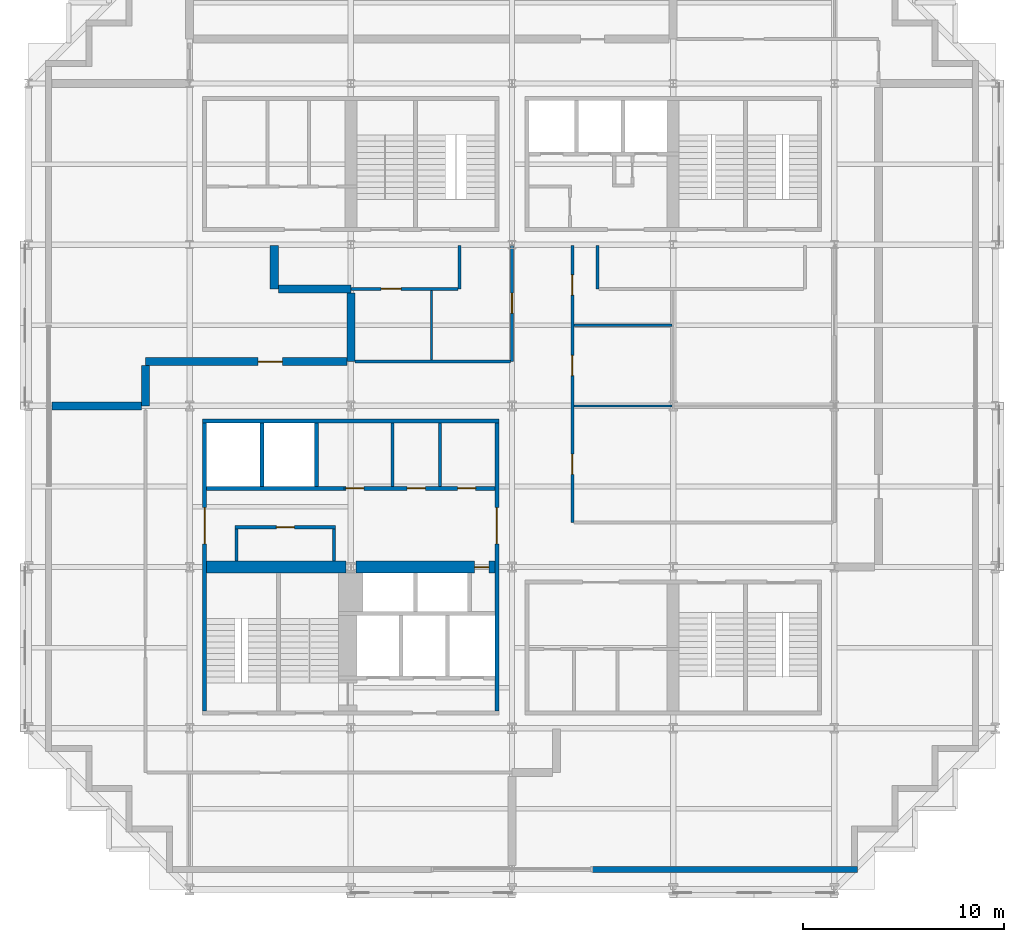
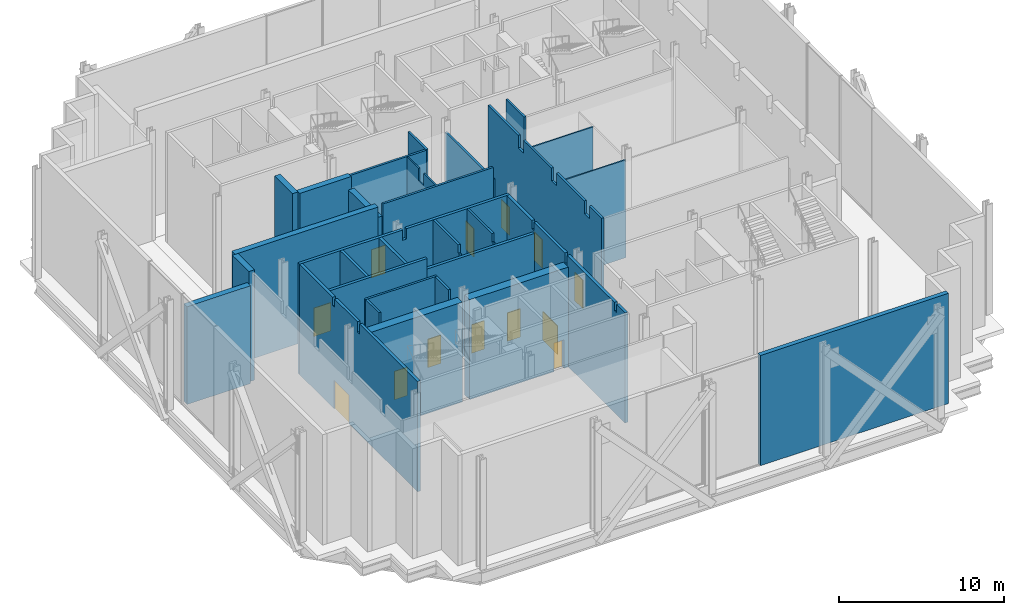
# One storey, part 8 of 13: 30 walls, 13 doors, 13 openings.
"""IFC4 building model written with IfcOpenShell, lengths in metres."""

from ifc_helpers import new_model, si_unit, direction, frame, frame_2d, origin, place, context, subcontext, project, spatial, polyline, rectangle, outline, extrude, material, layer, layer_set, type_object, element, fill, save


model = new_model("IFC4")

# Units and contexts
model_context = context("Model", 3, precision=1e-05, world=origin(), true_north=direction((0.0, 1.0)))
body_context = subcontext(model_context, "Body", "Model", "MODEL_VIEW")
ifc_project = project(units=[si_unit("LENGTHUNIT", "METRE"), si_unit("AREAUNIT", "SQUARE_METRE"), si_unit("VOLUMEUNIT", "CUBIC_METRE"), si_unit("PLANEANGLEUNIT", "RADIAN"), si_unit("MASSUNIT", "GRAM", prefix="KILO")], contexts=[model_context])

# Site, building, storey
site_placement = place(None, origin())
site = spatial("IfcSite", under=ifc_project, at=site_placement, CompositionType="ELEMENT")
building_placement = place(site_placement, origin())
building = spatial("IfcBuilding", under=site, at=building_placement, Name="Immortelle Media Tower", CompositionType="ELEMENT")
storey_placement = place(building_placement, frame((0.0, 0.0, 21.0)))
storey = spatial("IfcBuildingStorey", under=building, at=storey_placement, Name="L02", CompositionType="ELEMENT", Elevation=21.0)

# Wall, opening, door
ifc_material_1 = material(Name="Fire-rated masonry blockwork", Category="masonry")
ifc_layer_1 = layer(ifc_material_1, 0.60009765625)
ifc_layer_set_1 = layer_set([ifc_layer_1], Name="Fire-rated masonry blockwork")
wall_type_1 = type_object("IfcWallType", Name="Core grid-line wall 600", PredefinedType="PARTITIONING", material=ifc_layer_set_1)
wall_1_placement = place(storey_placement, frame((16.24755859375, 16.0, 0.0), z_axis=(0.0, 0.0, 1.0), x_axis=(1.0, 0.0, 0.0)))
wall_1 = element("IfcWall", 1, at=wall_1_placement, inside=storey, type_object=wall_type_1, Name="Core grid-line wall SW", PredefinedType="PARTITIONING", context=body_context, shape_type="SweptSolid", body=[
    extrude(rectangle(XDim=6.90234375, YDim=0.60009765625, at=frame_2d((3.451171875, 0.0))), origin(), (0.0, 0.0, 1.0), 7.382080078125),
])
opening_1_placement = place(wall_1_placement, frame((6.6025390625, 0.0, 0.0), z_axis=(0.0, 0.0, 1.0), x_axis=(-1.0, 0.0, 0.0)))
opening_1 = element("IfcOpeningElement", 2, at=opening_1_placement, cuts=wall_1, Name="Opening P2-K013", PredefinedType="OPENING", context=body_context, shape_type="SweptSolid", body=[
    extrude(rectangle(XDim=0.699951171875, YDim=2.10009765625, at=frame_2d((0.35009765625, 1.050048828125))), frame((0.0, 0.31005859375, 0.0), z_axis=(0.0, -1.0, 0.0), x_axis=(1.0, 0.0, 0.0)), (0.0, 0.0, 1.0), 0.6201171875),
])
ifc_material_2 = material(Name="Galvanised steel door leaf and frame ASTM A653", Category="steel")
door_type_1 = type_object("IfcDoorType", Name="Service door 700 x 2100", OperationType="NOTDEFINED", PredefinedType="NOTDEFINED", material=ifc_material_2)
door_1_placement = place(opening_1_placement, origin())
door_1 = element("IfcDoor", 3, at=door_1_placement, inside=storey, type_object=door_type_1, Name="Service P2-K013", OperationType="SINGLE_SWING_LEFT", OverallHeight=2.10009765625, OverallWidth=0.699951171875, PredefinedType="NOTDEFINED", context=body_context, shape_type="SweptSolid", body=[
    extrude(rectangle(XDim=0.699951171875, YDim=2.10009765625, at=frame_2d((0.35009765625, 1.050048828125))), frame((0.0, 0.02490234375, 0.0), z_axis=(0.0, -1.0, 0.0), x_axis=(1.0, 0.0, 0.0)), (0.0, 0.0, 1.0), 0.050048828125),
])
fill(opening_1, door_1)

# Wall
ifc_material_3 = material(Name="Fire-rated gypsum board", Category="gypsum")
ifc_layer_2 = layer(ifc_material_3, 0.02490234375)
ifc_material_4 = material(Name="Steel ASTM A653 SS Gr 50 stud frame with mineral wool", Category="steel")
ifc_layer_3 = layer(ifc_material_4, 0.10009765625)
ifc_layer_4 = layer(ifc_material_3, 0.02490234375)
ifc_layer_set_2 = layer_set([ifc_layer_2, ifc_layer_3, ifc_layer_4], Name="Steel ASTM A653 SS Gr 50 stud frame with mineral wool")
wall_type_2 = type_object("IfcWallType", Name="Core partition 150", PredefinedType="PARTITIONING", material=ifc_layer_set_2)
wall_2_placement = place(storey_placement, frame((10.324951171875, 16.300048828125, 0.0), z_axis=(0.0, 0.0, 1.0), x_axis=(0.0, 1.0, 0.0)))
element("IfcWall", 4, at=wall_2_placement, inside=storey, type_object=wall_type_2, Name="Core partition SW", PredefinedType="PARTITIONING", context=body_context, shape_type="SweptSolid", body=[
    extrude(rectangle(XDim=1.599853515625, YDim=0.14990234375, at=frame_2d((0.7998046875, 0.0))), origin(), (0.0, 0.0, 1.0), 8.14990234375),
])

# Wall, opening, door
wall_3_placement = place(storey_placement, frame((10.25, 17.97509765625, 0.0), z_axis=(0.0, 0.0, 1.0), x_axis=(1.0, 0.0, 0.0)))
wall_3 = element("IfcWall", 5, at=wall_3_placement, inside=storey, type_object=wall_type_2, Name="Core partition SW", PredefinedType="PARTITIONING", context=body_context, shape_type="SweptSolid", body=[
    extrude(rectangle(XDim=5.0, YDim=0.14990234375, at=frame_2d((2.5, 0.0))), origin(), (0.0, 0.0, 1.0), 8.14990234375),
])
opening_2_placement = place(wall_3_placement, frame((2.949951171875, 0.0, 0.0), z_axis=(0.0, 0.0, 1.0), x_axis=(-1.0, 0.0, 0.0)))
opening_2 = element("IfcOpeningElement", 6, at=opening_2_placement, cuts=wall_3, Name="Opening P2-K003", PredefinedType="OPENING", context=body_context, shape_type="SweptSolid", body=[
    extrude(rectangle(XDim=0.89990234375, YDim=2.10009765625, at=frame_2d((0.449951171875, 1.050048828125))), frame((0.0, 0.0849609375, 0.0), z_axis=(0.0, -1.0, 0.0), x_axis=(1.0, 0.0, 0.0)), (0.0, 0.0, 1.0), 0.169921875),
])
ifc_material_5 = material(Name="Timber", Category="wood")
door_type_2 = type_object("IfcDoorType", Name="Room door 900 x 2100", OperationType="NOTDEFINED", PredefinedType="NOTDEFINED", material=ifc_material_5)
door_2_placement = place(opening_2_placement, origin())
door_2 = element("IfcDoor", 7, at=door_2_placement, inside=storey, type_object=door_type_2, Name="Room P2-K003", OperationType="SINGLE_SWING_RIGHT", OverallHeight=2.10009765625, OverallWidth=0.89990234375, PredefinedType="NOTDEFINED", context=body_context, shape_type="SweptSolid", body=[
    extrude(rectangle(XDim=0.89990234375, YDim=2.10009765625, at=frame_2d((0.449951171875, 1.050048828125))), frame((0.0, 0.02490234375, 0.0), z_axis=(0.0, -1.0, 0.0), x_axis=(1.0, 0.0, 0.0)), (0.0, 0.0, 1.0), 0.050048828125),
])
fill(opening_2, door_2)

# Walls
wall_4_placement = place(storey_placement, frame((15.175048828125, 16.300048828125, 0.0), z_axis=(0.0, 0.0, 1.0), x_axis=(0.0, 1.0, 0.0)))
element("IfcWall", 8, at=wall_4_placement, inside=storey, type_object=wall_type_2, Name="Core partition SW", PredefinedType="PARTITIONING", context=body_context, shape_type="SweptSolid", body=[
    extrude(rectangle(XDim=1.599853515625, YDim=0.14990234375, at=frame_2d((0.7998046875, 0.0))), origin(), (0.0, 0.0, 1.0), 8.14990234375),
])
for number, where, z_axis, x_axis, name in (
    (9, (18.074951171875, 20.0, 0.0), (0.0, 0.0, 1.0), (0.0, 1.0, 0.0), "Core partition SW"),
    (10, (20.425048828125, 20.0, 0.0), (0.0, 0.0, 1.0), (0.0, 1.0, 0.0), "Core partition SW"),
):
    element("IfcWall", number, at=place(storey_placement, frame(where, z_axis=z_axis, x_axis=x_axis)), inside=storey, type_object=wall_type_2, Name=name, PredefinedType="PARTITIONING", context=body_context, shape_type="SweptSolid", body=[
        extrude(outline(polyline([(0.0, 0.0), (3.14990234375, 0.0), (3.14990234375, 8.14990234375), (0.119384765625, 8.14990234375), (0.118408203125, 7.531982421875), (0.0, 7.531982421875), (0.0, 0.0)])), frame((0.0, 0.074951171875, 0.0), z_axis=(0.0, -1.0, 0.0), x_axis=(1.0, 0.0, 0.0)), (0.0, 0.0, 1.0), 0.14990234375),
    ])
ifc_layer_5 = layer(ifc_material_3, 0.03759765625)
ifc_layer_6 = layer(ifc_material_4, 0.125)
ifc_layer_7 = layer(ifc_material_3, 0.03759765625)
ifc_layer_set_3 = layer_set([ifc_layer_5, ifc_layer_6, ifc_layer_7], Name="Steel ASTM A653 SS Gr 50 stud frame with mineral wool")
wall_type_3 = type_object("IfcWallType", Name="Core shaft wall 200", PredefinedType="PARTITIONING", material=ifc_layer_set_3)
wall_5_placement = place(storey_placement, frame((8.64990234375, 23.25, 0.0), z_axis=(0.0, 0.0, 1.0), x_axis=(1.0, 0.0, 0.0)))
element("IfcWall", 11, at=wall_5_placement, inside=storey, type_object=wall_type_3, Name="Core shaft wall SW", PredefinedType="PARTITIONING", context=body_context, shape_type="SweptSolid", body=[
    extrude(outline(polyline([(0.0, 0.0), (14.7001953125, 0.0), (14.699951171875, 8.14990234375), (7.488525390625, 8.14990234375), (7.487548828125, 7.382080078125), (7.21240234375, 7.382080078125), (7.21142578125, 8.14990234375), (0.0, 8.14990234375), (0.0, 0.0)])), frame((0.0, 0.10009765625, 0.0), z_axis=(0.0, -1.0, 0.0), x_axis=(1.0, 0.0, 0.0)), (0.0, 0.0, 1.0), 0.199951171875),
])
wall_6_placement = place(storey_placement, frame((8.85009765625, 19.89990234375, 0.0), z_axis=(0.0, 0.0, 1.0), x_axis=(1.0, 0.0, 0.0)))
element("IfcWall", 12, at=wall_6_placement, inside=storey, type_object=wall_type_3, Name="Core shaft wall SW", PredefinedType="PARTITIONING", context=body_context, shape_type="SweptSolid", body=[
    extrude(rectangle(XDim=6.7998046875, YDim=0.199951171875, at=frame_2d((3.39990234375, 0.0))), origin(), (0.0, 0.0, 1.0), 8.14990234375),
])

# Wall, openings, doors
wall_7_placement = place(storey_placement, frame((15.64990234375, 19.89990234375, 0.0), z_axis=(0.0, 0.0, 1.0), x_axis=(1.0, 0.0, 0.0)))
wall_7 = element("IfcWall", 13, at=wall_7_placement, inside=storey, type_object=wall_type_3, Name="Core shaft wall SW", PredefinedType="PARTITIONING", context=body_context, shape_type="SweptSolid", body=[
    extrude(rectangle(XDim=7.5, YDim=0.199951171875, at=frame_2d((3.75, 0.0))), origin(), (0.0, 0.0, 1.0), 7.382080078125),
])
opening_3_placement = place(wall_7_placement, frame((0.10009765625, 0.0, 0.0)))
opening_3 = element("IfcOpeningElement", 14, at=opening_3_placement, cuts=wall_7, Name="Opening P2-K006", PredefinedType="OPENING", context=body_context, shape_type="SweptSolid", body=[
    extrude(rectangle(XDim=0.89990234375, YDim=2.10009765625, at=frame_2d((0.449951171875, 1.050048828125))), frame((0.0, 0.10986328125, 0.0), z_axis=(0.0, -1.0, 0.0), x_axis=(1.0, 0.0, 0.0)), (0.0, 0.0, 1.0), 0.219970703125),
])
opening_4_placement = place(wall_7_placement, frame((3.14990234375, 0.0, 0.0)))
opening_4 = element("IfcOpeningElement", 15, at=opening_4_placement, cuts=wall_7, Name="Opening P2-K008", PredefinedType="OPENING", context=body_context, shape_type="SweptSolid", body=[
    extrude(rectangle(XDim=0.89990234375, YDim=2.10009765625, at=frame_2d((0.449951171875, 1.050048828125))), frame((0.0, 0.10986328125, 0.0), z_axis=(0.0, -1.0, 0.0), x_axis=(1.0, 0.0, 0.0)), (0.0, 0.0, 1.0), 0.219970703125),
])
opening_5_placement = place(wall_7_placement, frame((5.64990234375, 0.0, 0.0)))
opening_5 = element("IfcOpeningElement", 16, at=opening_5_placement, cuts=wall_7, Name="Opening P2-K011", PredefinedType="OPENING", context=body_context, shape_type="SweptSolid", body=[
    extrude(rectangle(XDim=0.89990234375, YDim=2.10009765625, at=frame_2d((0.449951171875, 1.050048828125))), frame((0.0, 0.10986328125, 0.0), z_axis=(0.0, -1.0, 0.0), x_axis=(1.0, 0.0, 0.0)), (0.0, 0.0, 1.0), 0.219970703125),
])
door_3_placement = place(opening_3_placement, origin())
door_3 = element("IfcDoor", 17, at=door_3_placement, inside=storey, type_object=door_type_2, Name="Room P2-K006", OperationType="SINGLE_SWING_LEFT", OverallHeight=2.10009765625, OverallWidth=0.89990234375, PredefinedType="NOTDEFINED", context=body_context, shape_type="SweptSolid", body=[
    extrude(rectangle(XDim=0.89990234375, YDim=2.10009765625, at=frame_2d((0.449951171875, 1.050048828125))), frame((0.0, 0.02490234375, 0.0), z_axis=(0.0, -1.0, 0.0), x_axis=(1.0, 0.0, 0.0)), (0.0, 0.0, 1.0), 0.050048828125),
])
fill(opening_3, door_3)
door_type_3 = type_object("IfcDoorType", Name="Toilet door 900 x 2100", OperationType="NOTDEFINED", PredefinedType="NOTDEFINED", material=ifc_material_5)
door_4_placement = place(opening_4_placement, origin())
door_4 = element("IfcDoor", 18, at=door_4_placement, inside=storey, type_object=door_type_3, Name="Toilet P2-K008", OperationType="SINGLE_SWING_RIGHT", OverallHeight=2.10009765625, OverallWidth=0.89990234375, PredefinedType="NOTDEFINED", context=body_context, shape_type="SweptSolid", body=[
    extrude(rectangle(XDim=0.89990234375, YDim=2.10009765625, at=frame_2d((0.449951171875, 1.050048828125))), frame((0.0, 0.02490234375, 0.0), z_axis=(0.0, -1.0, 0.0), x_axis=(1.0, 0.0, 0.0)), (0.0, 0.0, 1.0), 0.050048828125),
])
fill(opening_4, door_4)
door_5_placement = place(opening_5_placement, origin())
door_5 = element("IfcDoor", 19, at=door_5_placement, inside=storey, type_object=door_type_3, Name="Toilet P2-K011", OperationType="SINGLE_SWING_LEFT", OverallHeight=2.10009765625, OverallWidth=0.89990234375, PredefinedType="NOTDEFINED", context=body_context, shape_type="SweptSolid", body=[
    extrude(rectangle(XDim=0.89990234375, YDim=2.10009765625, at=frame_2d((0.449951171875, 1.050048828125))), frame((0.0, 0.02490234375, 0.0), z_axis=(0.0, -1.0, 0.0), x_axis=(1.0, 0.0, 0.0)), (0.0, 0.0, 1.0), 0.050048828125),
])
fill(opening_5, door_5)

# Walls
for number, where, z_axis, x_axis, name in (
    (20, (11.60009765625, 20.0, 0.0), (0.0, 0.0, 1.0), (0.0, 1.0, 0.0), "Core shaft wall SW"),
    (21, (14.300048828125, 20.0, 0.0), (0.0, 0.0, 1.0), (0.0, 1.0, 0.0), "Core shaft wall SW"),
):
    element("IfcWall", number, at=place(storey_placement, frame(where, z_axis=z_axis, x_axis=x_axis)), inside=storey, type_object=wall_type_3, Name=name, PredefinedType="PARTITIONING", context=body_context, shape_type="SweptSolid", body=[
        extrude(rectangle(XDim=3.14990234375, YDim=0.199951171875, at=frame_2d((1.574951171875, 0.0))), origin(), (0.0, 0.0, 1.0), 8.14990234375),
    ])

# Wall, opening, door
wall_8_placement = place(storey_placement, frame((23.25, 8.85009765625, 0.0), z_axis=(0.0, 0.0, 1.0), x_axis=(0.0, 1.0, 0.0)))
wall_8 = element("IfcWall", 22, at=wall_8_placement, inside=storey, type_object=wall_type_3, Name="Core shaft wall SW", PredefinedType="PARTITIONING", context=body_context, shape_type="SweptSolid", body=[
    extrude(outline(polyline([(0.0, 0.0), (14.2998046875, 0.0), (14.300048828125, 8.14990234375), (11.26953125, 8.14990234375), (11.2685546875, 7.531982421875), (11.031494140625, 7.531982421875), (11.030517578125, 8.14990234375), (7.28857421875, 8.14990234375), (7.28759765625, 7.382080078125), (7.012451171875, 7.382080078125), (7.011474609375, 8.14990234375), (1.26953125, 8.14990234375), (1.2685546875, 7.531982421875), (1.031494140625, 7.531982421875), (1.030517578125, 8.14990234375), (0.0, 8.14990234375), (0.0, 0.0)])), frame((0.0, 0.10009765625, 0.0), z_axis=(0.0, -1.0, 0.0), x_axis=(1.0, 0.0, 0.0)), (0.0, 0.0, 1.0), 0.199951171875),
])
opening_6_placement = place(wall_8_placement, frame((8.300048828125, 0.0, 0.0)))
opening_6 = element("IfcOpeningElement", 23, at=opening_6_placement, cuts=wall_8, Name="Opening P2-K014", PredefinedType="OPENING", context=body_context, shape_type="SweptSolid", body=[
    extrude(rectangle(XDim=1.800048828125, YDim=2.10009765625, at=frame_2d((0.89990234375, 1.050048828125))), frame((0.0, 0.10986328125, 0.0), z_axis=(0.0, -1.0, 0.0), x_axis=(1.0, 0.0, 0.0)), (0.0, 0.0, 1.0), 0.219970703125),
])
door_type_4 = type_object("IfcDoorType", Name="Lift lobby door 1800 x 2100", OperationType="DOUBLE_DOOR_SINGLE_SWING", PredefinedType="NOTDEFINED", material=ifc_material_2)
door_6_placement = place(opening_6_placement, origin())
door_6 = element("IfcDoor", 24, at=door_6_placement, inside=storey, type_object=door_type_4, Name="Lift lobby P2-K014", OperationType="DOUBLE_DOOR_SINGLE_SWING", OverallHeight=2.10009765625, OverallWidth=1.800048828125, PredefinedType="NOTDEFINED", context=body_context, shape_type="SweptSolid", body=[
    extrude(rectangle(XDim=1.800048828125, YDim=2.10009765625, at=frame_2d((0.89990234375, 1.050048828125))), frame((0.0, 0.02490234375, 0.0), z_axis=(0.0, -1.0, 0.0), x_axis=(1.0, 0.0, 0.0)), (0.0, 0.0, 1.0), 0.050048828125),
])
fill(opening_6, door_6)

# Wall, openings, doors
ifc_layer_8 = layer(ifc_material_3, 0.012451171875)
ifc_layer_9 = layer(ifc_material_4, 0.125)
ifc_layer_10 = layer(ifc_material_3, 0.012451171875)
ifc_layer_set_4 = layer_set([ifc_layer_8, ifc_layer_9, ifc_layer_10], Name="Steel ASTM A653 SS Gr 50 stud frame with mineral wool")
wall_type_4 = type_object("IfcWallType", Name="Corridor wall 150", PredefinedType="PARTITIONING", material=ifc_layer_set_4)
wall_9_placement = place(storey_placement, frame((27.0, 18.199951171875, 0.0), z_axis=(0.0, 0.0, 1.0), x_axis=(0.0, 1.0, 0.0)))
wall_9 = element("IfcWall", 25, at=wall_9_placement, inside=storey, type_object=wall_type_4, Name="Partition L02-010", PredefinedType="PARTITIONING", context=body_context, shape_type="SweptSolid", body=[
    extrude(outline(polyline([(0.0, 0.0), (13.77001953125, 0.0), (13.77001953125, 8.14990234375), (10.10009765625, 8.14990234375), (10.097900390625, 7.222900390625), (9.501953125, 7.222900390625), (9.5, 8.14990234375), (6.10009765625, 8.14990234375), (6.097900390625, 7.222900390625), (5.501953125, 7.222900390625), (5.5, 8.14990234375), (2.10009765625, 8.14990234375), (2.097900390625, 7.222900390625), (1.501953125, 7.222900390625), (1.5, 8.14990234375), (0.0, 8.14990234375), (0.0, 0.0)])), frame((0.0, 0.074951171875, 0.0), z_axis=(0.0, -1.0, 0.0), x_axis=(1.0, 0.0, 0.0)), (0.0, 0.0, 1.0), 0.14990234375),
])
opening_7_placement = place(wall_9_placement, frame((3.39990234375, 0.0, 0.0), z_axis=(0.0, 0.0, 1.0), x_axis=(-1.0, 0.0, 0.0)))
opening_7 = element("IfcOpeningElement", 26, at=opening_7_placement, cuts=wall_9, Name="Opening P2-F004", PredefinedType="OPENING", context=body_context, shape_type="SweptSolid", body=[
    extrude(rectangle(XDim=1.0, YDim=2.10009765625, at=frame_2d((0.5, 1.050048828125))), frame((0.0, 0.0849609375, 0.0), z_axis=(0.0, -1.0, 0.0), x_axis=(1.0, 0.0, 0.0)), (0.0, 0.0, 1.0), 0.169921875),
])
opening_8_placement = place(wall_9_placement, frame((7.300048828125, 0.0, 0.0)))
opening_8 = element("IfcOpeningElement", 27, at=opening_8_placement, cuts=wall_9, Name="Opening P2-F005", PredefinedType="OPENING", context=body_context, shape_type="SweptSolid", body=[
    extrude(rectangle(XDim=1.0, YDim=2.10009765625, at=frame_2d((0.5, 1.050048828125))), frame((0.0, 0.0849609375, 0.0), z_axis=(0.0, -1.0, 0.0), x_axis=(1.0, 0.0, 0.0)), (0.0, 0.0, 1.0), 0.169921875),
])
opening_9_placement = place(wall_9_placement, frame((12.300048828125, 0.0, 0.0), z_axis=(0.0, 0.0, 1.0), x_axis=(-1.0, 0.0, 0.0)))
opening_9 = element("IfcOpeningElement", 28, at=opening_9_placement, cuts=wall_9, Name="Opening P2-F006", PredefinedType="OPENING", context=body_context, shape_type="SweptSolid", body=[
    extrude(rectangle(XDim=1.0, YDim=2.10009765625, at=frame_2d((0.5, 1.050048828125))), frame((0.0, 0.0849609375, 0.0), z_axis=(0.0, -1.0, 0.0), x_axis=(1.0, 0.0, 0.0)), (0.0, 0.0, 1.0), 0.169921875),
])
ifc_material_6 = material(Name="Timber veneered door leaf, galvanised steel frame ASTM A653", Category="steel")
door_type_5 = type_object("IfcDoorType", Name="Room door 1000 x 2100", OperationType="NOTDEFINED", PredefinedType="DOOR", material=ifc_material_6)
door_7_placement = place(opening_7_placement, origin())
door_7 = element("IfcDoor", 29, at=door_7_placement, inside=storey, type_object=door_type_5, Name="Door P2-F004", OperationType="SINGLE_SWING_LEFT", OverallHeight=2.10009765625, OverallWidth=1.0, PredefinedType="DOOR", context=body_context, shape_type="SweptSolid", body=[
    extrude(rectangle(XDim=1.0, YDim=2.10009765625, at=frame_2d((0.5, 1.050048828125))), frame((0.0, 0.02490234375, 0.0), z_axis=(0.0, -1.0, 0.0), x_axis=(1.0, 0.0, 0.0)), (0.0, 0.0, 1.0), 0.050048828125),
])
fill(opening_7, door_7)
door_8_placement = place(opening_8_placement, origin())
door_8 = element("IfcDoor", 30, at=door_8_placement, inside=storey, type_object=door_type_5, Name="Door P2-F005", OperationType="SINGLE_SWING_RIGHT", OverallHeight=2.10009765625, OverallWidth=1.0, PredefinedType="DOOR", context=body_context, shape_type="SweptSolid", body=[
    extrude(rectangle(XDim=1.0, YDim=2.10009765625, at=frame_2d((0.5, 1.050048828125))), frame((0.0, 0.02490234375, 0.0), z_axis=(0.0, -1.0, 0.0), x_axis=(1.0, 0.0, 0.0)), (0.0, 0.0, 1.0), 0.050048828125),
])
fill(opening_8, door_8)
door_9_placement = place(opening_9_placement, origin())
door_9 = element("IfcDoor", 31, at=door_9_placement, inside=storey, type_object=door_type_5, Name="Door P2-F006", OperationType="SINGLE_SWING_RIGHT", OverallHeight=2.10009765625, OverallWidth=1.0, PredefinedType="DOOR", context=body_context, shape_type="SweptSolid", body=[
    extrude(rectangle(XDim=1.0, YDim=2.10009765625, at=frame_2d((0.5, 1.050048828125))), frame((0.0, 0.02490234375, 0.0), z_axis=(0.0, -1.0, 0.0), x_axis=(1.0, 0.0, 0.0)), (0.0, 0.0, 1.0), 0.050048828125),
])
fill(opening_9, door_9)

# Wall
wall_10_placement = place(storey_placement, frame((16.199951171875, 26.199951171875, 0.0), z_axis=(0.0, 0.0, 1.0), x_axis=(1.0, 0.0, 0.0)))
element("IfcWall", 32, at=wall_10_placement, inside=storey, type_object=wall_type_4, Name="Partition L02-018", PredefinedType="PARTITIONING", context=body_context, shape_type="SweptSolid", body=[
    extrude(rectangle(XDim=7.72509765625, YDim=0.14990234375, at=frame_2d((3.862548828125, 0.0))), origin(), (0.0, 0.0, 1.0), 8.14990234375),
])

# Wall, opening, door
wall_11_placement = place(storey_placement, frame((24.0, 26.199951171875, 0.0), z_axis=(0.0, 0.0, 1.0), x_axis=(0.0, 1.0, 0.0)))
wall_11 = element("IfcWall", 33, at=wall_11_placement, inside=storey, type_object=wall_type_4, Name="Partition L02-021", PredefinedType="PARTITIONING", context=body_context, shape_type="SweptSolid", body=[
    extrude(rectangle(XDim=5.77001953125, YDim=0.14990234375, at=frame_2d((2.885009765625, 0.0))), origin(), (0.0, 0.0, 1.0), 7.222900390625),
])
opening_10_placement = place(wall_11_placement, frame((2.39990234375, 0.0, 0.0)))
opening_10 = element("IfcOpeningElement", 34, at=opening_10_placement, cuts=wall_11, Name="Opening P2-F009", PredefinedType="OPENING", context=body_context, shape_type="SweptSolid", body=[
    extrude(rectangle(XDim=1.0, YDim=2.10009765625, at=frame_2d((0.5, 1.050048828125))), frame((0.0, 0.0849609375, 0.0), z_axis=(0.0, -1.0, 0.0), x_axis=(1.0, 0.0, 0.0)), (0.0, 0.0, 1.0), 0.169921875),
])
door_10_placement = place(opening_10_placement, origin())
door_10 = element("IfcDoor", 35, at=door_10_placement, inside=storey, type_object=door_type_5, Name="Door P2-F009", OperationType="SINGLE_SWING_RIGHT", OverallHeight=2.10009765625, OverallWidth=1.0, PredefinedType="DOOR", context=body_context, shape_type="SweptSolid", body=[
    extrude(rectangle(XDim=1.0, YDim=2.10009765625, at=frame_2d((0.5, 1.050048828125))), frame((0.0, 0.02490234375, 0.0), z_axis=(0.0, -1.0, 0.0), x_axis=(1.0, 0.0, 0.0)), (0.0, 0.0, 1.0), 0.050048828125),
])
fill(opening_10, door_10)

wall_12_placement = place(storey_placement, frame((16.0, 29.800048828125, 0.0), z_axis=(0.0, 0.0, 1.0), x_axis=(1.0, 0.0, 0.0)))
wall_12 = element("IfcWall", 36, at=wall_12_placement, inside=storey, type_object=wall_type_4, Name="Partition L02-026", PredefinedType="PARTITIONING", context=body_context, shape_type="SweptSolid", body=[
    extrude(rectangle(XDim=5.324951171875, YDim=0.14990234375, at=frame_2d((2.66259765625, 0.0))), origin(), (0.0, 0.0, 1.0), 8.14990234375),
])
opening_11_placement = place(wall_12_placement, frame((2.5, 0.0, 0.0), z_axis=(0.0, 0.0, 1.0), x_axis=(-1.0, 0.0, 0.0)))
opening_11 = element("IfcOpeningElement", 37, at=opening_11_placement, cuts=wall_12, Name="Opening P2-F008", PredefinedType="OPENING", context=body_context, shape_type="SweptSolid", body=[
    extrude(rectangle(XDim=1.0, YDim=2.10009765625, at=frame_2d((0.5, 1.050048828125))), frame((0.0, 0.0849609375, 0.0), z_axis=(0.0, -1.0, 0.0), x_axis=(1.0, 0.0, 0.0)), (0.0, 0.0, 1.0), 0.169921875),
])
door_11_placement = place(opening_11_placement, origin())
door_11 = element("IfcDoor", 38, at=door_11_placement, inside=storey, type_object=door_type_5, Name="Door P2-F008", OperationType="SINGLE_SWING_LEFT", OverallHeight=2.10009765625, OverallWidth=1.0, PredefinedType="DOOR", context=body_context, shape_type="SweptSolid", body=[
    extrude(rectangle(XDim=1.0, YDim=2.10009765625, at=frame_2d((0.5, 1.050048828125))), frame((0.0, 0.02490234375, 0.0), z_axis=(0.0, -1.0, 0.0), x_axis=(1.0, 0.0, 0.0)), (0.0, 0.0, 1.0), 0.050048828125),
])
fill(opening_11, door_11)

# Walls
for number, where, z_axis, x_axis, name in (
    (39, (21.39990234375, 29.800048828125, 0.0), (0.0, 0.0, 1.0), (0.0, 1.0, 0.0), "Partition L02-027"),
    (40, (28.25, 29.800048828125, 0.0), (0.0, 0.0, 1.0), (0.0, 1.0, 0.0), "Partition L02-029"),
):
    element("IfcWall", number, at=place(storey_placement, frame(where, z_axis=z_axis, x_axis=x_axis)), inside=storey, type_object=wall_type_4, Name=name, PredefinedType="PARTITIONING", context=body_context, shape_type="SweptSolid", body=[
        extrude(rectangle(XDim=2.169921875, YDim=0.14990234375, at=frame_2d((1.0849609375, 0.0))), origin(), (0.0, 0.0, 1.0), 8.14990234375),
    ])
ifc_material_7 = material(Name="Pale aluminium cladding panel", Category="aluminium")
ifc_layer_11 = layer(ifc_material_7, 0.030029296875)
ifc_layer_12 = layer(ifc_material_4, 0.257568359375)
ifc_material_8 = material(Name="Moisture-resistant gypsum board", Category="gypsum")
ifc_layer_13 = layer(ifc_material_8, 0.012451171875)
ifc_layer_set_5 = layer_set([ifc_layer_11, ifc_layer_12, ifc_layer_13], Name="Steel ASTM A653 SS Gr 50 stud frame with mineral wool")
wall_type_5 = type_object("IfcWallType", Name="Pale metal clad wall 300", PredefinedType="STANDARD", material=ifc_layer_set_5)
wall_13_placement = place(storey_placement, frame((28.0, 1.0, 0.0), z_axis=(0.0, 0.0, 1.0), x_axis=(1.0, 0.0, 0.0)))
element("IfcWall", 41, at=wall_13_placement, inside=storey, type_object=wall_type_5, Name="Studio wall L02 S 7-3", PredefinedType="STANDARD", context=body_context, shape_type="SweptSolid", body=[
    extrude(rectangle(XDim=13.14990234375, YDim=0.300048828125, at=frame_2d((6.574951171875, 0.0))), origin(), (0.0, 0.0, 1.0), 8.14990234375),
])
ifc_material_9 = material(Name="Gypsum board", Category="gypsum")
ifc_layer_14 = layer(ifc_material_9, 0.012451171875)
ifc_layer_15 = layer(ifc_material_4, 0.074951171875)
ifc_layer_16 = layer(ifc_material_9, 0.012451171875)
ifc_layer_set_6 = layer_set([ifc_layer_14, ifc_layer_15, ifc_layer_16], Name="Steel ASTM A653 SS Gr 50 stud frame with mineral wool")
wall_type_6 = type_object("IfcWallType", Name="Partition 100", PredefinedType="PARTITIONING", material=ifc_layer_set_6)
wall_14_placement = place(storey_placement, frame((27.074951171875, 24.0, 0.0), z_axis=(0.0, 0.0, 1.0), x_axis=(1.0, 0.0, 0.0)))
element("IfcWall", 42, at=wall_14_placement, inside=storey, type_object=wall_type_6, Name="Partition L02-014", PredefinedType="PARTITIONING", context=body_context, shape_type="SweptSolid", body=[
    extrude(rectangle(XDim=4.875, YDim=0.10009765625, at=frame_2d((2.4375, 0.0))), origin(), (0.0, 0.0, 1.0), 7.222900390625),
])
wall_15_placement = place(storey_placement, frame((20.0, 26.27490234375, 0.0), z_axis=(0.0, 0.0, 1.0), x_axis=(0.0, 1.0, 0.0)))
element("IfcWall", 43, at=wall_15_placement, inside=storey, type_object=wall_type_6, Name="Partition L02-020", PredefinedType="PARTITIONING", context=body_context, shape_type="SweptSolid", body=[
    extrude(outline(polyline([(0.0, 0.0), (3.4501953125, 0.0), (3.449951171875, 8.14990234375), (2.02490234375, 8.14990234375), (2.02294921875, 7.222900390625), (1.427001953125, 7.222900390625), (1.425048828125, 8.14990234375), (0.0, 8.14990234375), (0.0, 0.0)])), frame((0.0, 0.050048828125, 0.0), z_axis=(0.0, -1.0, 0.0), x_axis=(1.0, 0.0, 0.0)), (0.0, 0.0, 1.0), 0.10009765625),
])
wall_16_placement = place(storey_placement, frame((27.074951171875, 28.0, 0.0), z_axis=(0.0, 0.0, 1.0), x_axis=(1.0, 0.0, 0.0)))
element("IfcWall", 44, at=wall_16_placement, inside=storey, type_object=wall_type_6, Name="Partition L02-022", PredefinedType="PARTITIONING", context=body_context, shape_type="SweptSolid", body=[
    extrude(rectangle(XDim=4.875, YDim=0.10009765625, at=frame_2d((2.4375, 0.0))), origin(), (0.0, 0.0, 1.0), 7.222900390625),
])

# Wall, opening, door
ifc_material_10 = material(Name="Concrete C60", Category="concrete")
ifc_layer_17 = layer(ifc_material_10, 0.199951171875)
ifc_layer_set_7 = layer_set([ifc_layer_17], Name="Concrete C60")
wall_type_7 = type_object("IfcWallType", Name="Stair shaft wall 200", PredefinedType="PARTITIONING", material=ifc_layer_set_7)
wall_17_placement = place(storey_placement, frame((8.75, 8.85009765625, 0.0), z_axis=(0.0, 0.0, 1.0), x_axis=(0.0, 1.0, 0.0)))
wall_17 = element("IfcWall", 45, at=wall_17_placement, inside=storey, type_object=wall_type_7, Name="Stair shaft wall SW", PredefinedType="PARTITIONING", context=body_context, shape_type="SweptSolid", body=[
    extrude(outline(polyline([(0.0, 0.0), (14.2998046875, 0.0), (14.300048828125, 8.14990234375), (10.26953125, 8.14990234375), (10.2685546875, 7.531982421875), (10.031494140625, 7.531982421875), (10.030517578125, 8.14990234375), (7.28857421875, 8.14990234375), (7.28759765625, 7.382080078125), (7.012451171875, 7.382080078125), (7.011474609375, 8.14990234375), (0.0, 8.14990234375), (0.0, 0.0)])), frame((0.0, 0.10009765625, 0.0), z_axis=(0.0, -1.0, 0.0), x_axis=(1.0, 0.0, 0.0)), (0.0, 0.0, 1.0), 0.199951171875),
])
opening_12_placement = place(wall_17_placement, frame((8.300048828125, 0.0, 0.0)))
opening_12 = element("IfcOpeningElement", 46, at=opening_12_placement, cuts=wall_17, Name="Opening P2-K001", PredefinedType="OPENING", context=body_context, shape_type="SweptSolid", body=[
    extrude(rectangle(XDim=1.800048828125, YDim=2.10009765625, at=frame_2d((0.89990234375, 1.050048828125))), frame((0.0, 0.10986328125, 0.0), z_axis=(0.0, -1.0, 0.0), x_axis=(1.0, 0.0, 0.0)), (0.0, 0.0, 1.0), 0.219970703125),
])
door_12_placement = place(opening_12_placement, origin())
door_12 = element("IfcDoor", 47, at=door_12_placement, inside=storey, type_object=door_type_4, Name="Lift lobby P2-K001", OperationType="DOUBLE_DOOR_SINGLE_SWING", OverallHeight=2.10009765625, OverallWidth=1.800048828125, PredefinedType="NOTDEFINED", context=body_context, shape_type="SweptSolid", body=[
    extrude(rectangle(XDim=1.800048828125, YDim=2.10009765625, at=frame_2d((0.89990234375, 1.050048828125))), frame((0.0, 0.02490234375, 0.0), z_axis=(0.0, -1.0, 0.0), x_axis=(1.0, 0.0, 0.0)), (0.0, 0.0, 1.0), 0.050048828125),
])
fill(opening_12, door_12)

# Walls
ifc_layer_18 = layer(ifc_material_10, 0.60009765625)
ifc_layer_set_8 = layer_set([ifc_layer_18], Name="Concrete C60")
wall_type_8 = type_object("IfcWallType", Name="Stair shaft wall 600", PredefinedType="PARTITIONING", material=ifc_layer_set_8)
wall_18_placement = place(storey_placement, frame((8.85009765625, 16.0, 0.0), z_axis=(0.0, 0.0, 1.0), x_axis=(1.0, 0.0, 0.0)))
element("IfcWall", 48, at=wall_18_placement, inside=storey, type_object=wall_type_8, Name="Stair shaft wall SW", PredefinedType="PARTITIONING", context=body_context, shape_type="SweptSolid", body=[
    extrude(rectangle(XDim=6.90234375, YDim=0.60009765625, at=frame_2d((3.451171875, 0.0))), origin(), (0.0, 0.0, 1.0), 7.382080078125),
])
ifc_material_11 = material(Name="Acoustic masonry blockwork", Category="masonry")
ifc_layer_19 = layer(ifc_material_11, 0.39990234375)
ifc_layer_set_9 = layer_set([ifc_layer_19], Name="Acoustic masonry blockwork")
wall_type_9 = type_object("IfcWallType", Name="Studio shell 400", PredefinedType="PARTITIONING", material=ifc_layer_set_9)
wall_19_placement = place(storey_placement, frame((1.179931640625, 24.0, 0.0), z_axis=(0.0, 0.0, 1.0), x_axis=(1.0, 0.0, 0.0)))
element("IfcWall", 49, at=wall_19_placement, inside=storey, type_object=wall_type_9, Name="Partition L02-012", PredefinedType="PARTITIONING", context=body_context, shape_type="SweptSolid", body=[
    extrude(rectangle(XDim=4.420166015625, YDim=0.39990234375, at=frame_2d((2.2099609375, 0.0))), origin(), (0.0, 0.0, 1.0), 7.222900390625),
])
wall_20_placement = place(storey_placement, frame((5.800048828125, 24.0, 0.0), z_axis=(0.0, 0.0, 1.0), x_axis=(0.0, 1.0, 0.0)))
element("IfcWall", 50, at=wall_20_placement, inside=storey, type_object=wall_type_9, Name="Partition L02-013", PredefinedType="PARTITIONING", context=body_context, shape_type="SweptSolid", body=[
    extrude(rectangle(XDim=2.0, YDim=0.39990234375, at=frame_2d((1.0, 0.0))), origin(), (0.0, 0.0, 1.0), 8.14990234375),
])

# Wall, opening, door
wall_21_placement = place(storey_placement, frame((5.800048828125, 26.199951171875, 0.0), z_axis=(0.0, 0.0, 1.0), x_axis=(1.0, 0.0, 0.0)))
wall_21 = element("IfcWall", 51, at=wall_21_placement, inside=storey, type_object=wall_type_9, Name="Partition L02-017", PredefinedType="PARTITIONING", context=body_context, shape_type="SweptSolid", body=[
    extrude(rectangle(XDim=10.0, YDim=0.39990234375, at=frame_2d((5.0, 0.0))), origin(), (0.0, 0.0, 1.0), 8.14990234375),
])
opening_13_placement = place(wall_21_placement, frame((5.60009765625, 0.0, 0.0)))
opening_13 = element("IfcOpeningElement", 52, at=opening_13_placement, cuts=wall_21, Name="Opening P2-F010", PredefinedType="OPENING", context=body_context, shape_type="SweptSolid", body=[
    extrude(rectangle(XDim=1.199951171875, YDim=2.10009765625, at=frame_2d((0.60009765625, 1.050048828125))), frame((0.0, 0.2099609375, 0.0), z_axis=(0.0, -1.0, 0.0), x_axis=(1.0, 0.0, 0.0)), (0.0, 0.0, 1.0), 0.419921875),
])
ifc_material_12 = material(Name="Acoustic timber core door leaf", Category="wood")
door_type_6 = type_object("IfcDoorType", Name="Studio door 1200 x 2100 acoustic", OperationType="NOTDEFINED", PredefinedType="DOOR", material=ifc_material_12)
door_13_placement = place(opening_13_placement, origin())
door_13 = element("IfcDoor", 53, at=door_13_placement, inside=storey, type_object=door_type_6, Name="Door P2-F010", OperationType="SINGLE_SWING_RIGHT", OverallHeight=2.10009765625, OverallWidth=1.199951171875, PredefinedType="DOOR", context=body_context, shape_type="SweptSolid", body=[
    extrude(rectangle(XDim=1.199951171875, YDim=2.10009765625, at=frame_2d((0.60009765625, 1.050048828125))), frame((0.0, 0.02490234375, 0.0), z_axis=(0.0, -1.0, 0.0), x_axis=(1.0, 0.0, 0.0)), (0.0, 0.0, 1.0), 0.050048828125),
])
fill(opening_13, door_13)

# Walls
wall_22_placement = place(storey_placement, frame((16.0, 26.199951171875, 0.0), z_axis=(0.0, 0.0, 1.0), x_axis=(0.0, 1.0, 0.0)))
element("IfcWall", 54, at=wall_22_placement, inside=storey, type_object=wall_type_9, Name="Partition L02-019", PredefinedType="PARTITIONING", context=body_context, shape_type="SweptSolid", body=[
    extrude(rectangle(XDim=3.400146484375, YDim=0.39990234375, at=frame_2d((1.7001953125, 0.0))), origin(), (0.0, 0.0, 1.0), 7.222900390625),
])
wall_23_placement = place(storey_placement, frame((12.39990234375, 29.800048828125, 0.0), z_axis=(0.0, 0.0, 1.0), x_axis=(1.0, 0.0, 0.0)))
element("IfcWall", 55, at=wall_23_placement, inside=storey, type_object=wall_type_9, Name="Partition L02-024", PredefinedType="PARTITIONING", context=body_context, shape_type="SweptSolid", body=[
    extrude(rectangle(XDim=3.60009765625, YDim=0.39990234375, at=frame_2d((1.800048828125, 0.0))), origin(), (0.0, 0.0, 1.0), 8.14990234375),
])
wall_24_placement = place(storey_placement, frame((12.199951171875, 29.800048828125, 0.0), z_axis=(0.0, 0.0, 1.0), x_axis=(0.0, 1.0, 0.0)))
element("IfcWall", 56, at=wall_24_placement, inside=storey, type_object=wall_type_9, Name="Partition L02-025", PredefinedType="PARTITIONING", context=body_context, shape_type="SweptSolid", body=[
    extrude(rectangle(XDim=2.169921875, YDim=0.39990234375, at=frame_2d((1.0849609375, 0.0))), origin(), (0.0, 0.0, 1.0), 8.14990234375),
])

save(model, "model.ifc")
